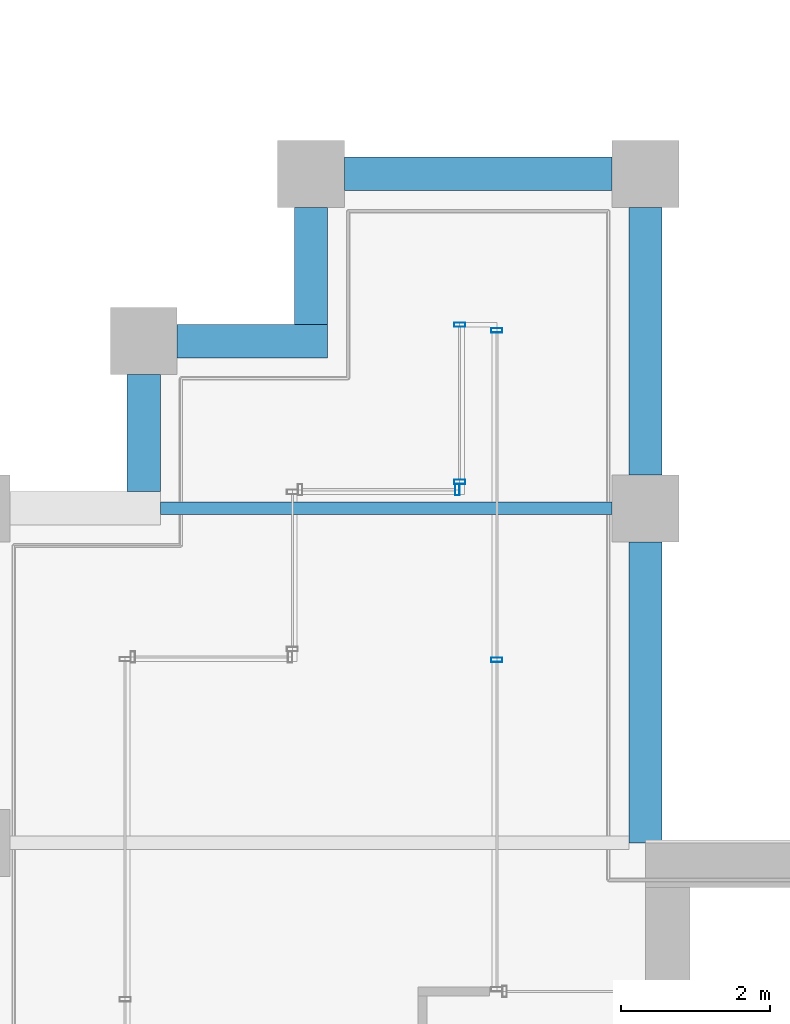
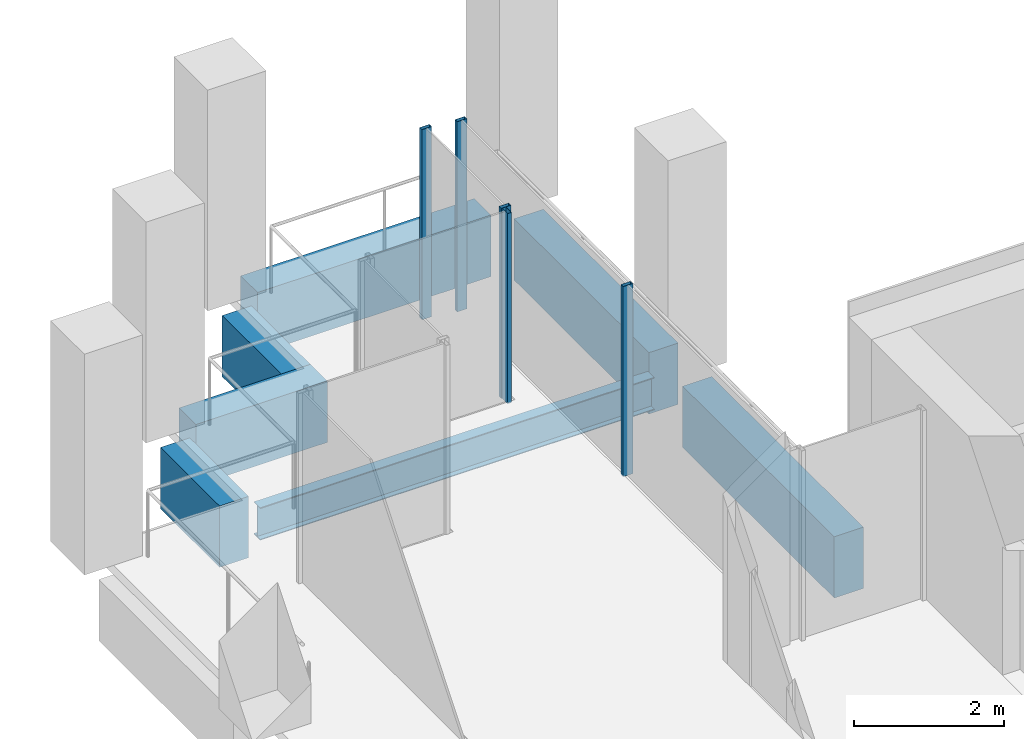
# One storey, part 33 of 40: 7 beams, 5 members, 3 elements without a shape of their own.
"""IFC4 building model written with IfcOpenShell, lengths in metres."""

from ifc_helpers import new_model, si_unit, direction, frame, origin, origin_2d, place, context, subcontext, project, spatial, rectangle, hollow_rectangle, i_section, extrude, material, material_profile, profile_set, type_object, element, aggregate, save


model = new_model("IFC4")

# Units and contexts
model_context = context("Model", 3, precision=1e-05, world=origin(), true_north=direction((0.0, 1.0)))
body_context = subcontext(model_context, "Body", "Model", "MODEL_VIEW")
ifc_project = project(units=[si_unit("LENGTHUNIT", "METRE"), si_unit("AREAUNIT", "SQUARE_METRE"), si_unit("VOLUMEUNIT", "CUBIC_METRE"), si_unit("PLANEANGLEUNIT", "RADIAN"), si_unit("MASSUNIT", "GRAM", prefix="KILO")], contexts=[model_context])

# Site, building, storey
site_placement = place(None, origin())
site = spatial("IfcSite", under=ifc_project, at=site_placement, CompositionType="ELEMENT")
building_placement = place(site_placement, origin())
building = spatial("IfcBuilding", under=site, at=building_placement, Name="Altepetl Exchange Towers", CompositionType="ELEMENT")
storey_placement = place(building_placement, frame((0.0, 0.0, 172.60009765625)))
storey = spatial("IfcBuildingStorey", under=building, at=storey_placement, Name="L43", CompositionType="ELEMENT", Elevation=172.60009765625)

# Beam
ifc_material_1 = material(Name="Steel S355", Category="steel")
ifc_material_profile_1 = material_profile(ifc_material_1, i_section(OverallWidth=0.166015625, OverallDepth=0.529052734375, WebThickness=0.009765625, FlangeThickness=0.013671875, at=origin_2d()), Name="W21X50")
ifc_profile_set_1 = profile_set([ifc_material_profile_1], Name="Steel S355")
beam_type_1 = type_object("IfcBeamType", Name="Floor beam W21X50", PredefinedType="BEAM", material=ifc_profile_set_1)
beam_1_placement = place(storey_placement, frame((96.97509765625, 54.0, -0.41455078125), z_axis=(1.0, 0.0, 0.0), x_axis=(0.0, 1.0, 0.0)))
element("IfcBeam", 1, at=beam_1_placement, inside=storey, type_object=beam_type_1, Name="bm:B:L43:007", PredefinedType="BEAM", context=body_context, shape_type="SweptSolid", body=[
    extrude(i_section(OverallWidth=0.166015625, OverallDepth=0.529052734375, WebThickness=0.009765625, FlangeThickness=0.013671875, at=origin_2d()), origin(), (0.0, 0.0, 1.0), 6.074951171875),
])

# Curtain wall, members
ifc_material_2 = material(Name="Aluminium 6063-T6 glazing", Category="aluminium")
curtain_wall_type = type_object("IfcCurtainWallType", Name="Loggia glazing system", PredefinedType="NOTDEFINED", material=ifc_material_2)
curtain_wall_1_placement = place(storey_placement, origin())
curtain_wall_1 = element("IfcCurtainWall", 2, at=curtain_wall_1_placement, inside=storey, type_object=curtain_wall_type, Name="CW1 run", PredefinedType="NOTDEFINED")
ifc_material_3 = material(Name="Aluminium 6063-T6", Category="aluminium")
ifc_material_profile_2 = material_profile(ifc_material_3, hollow_rectangle(XDim=0.06005859375, YDim=0.14990234375, WallThickness=0.0029296875, at=origin_2d()), Name="Mullion 60x150 aluminium")
ifc_profile_set_2 = profile_set([ifc_material_profile_2], Name="Aluminium 6063-T6")
member_type = type_object("IfcMemberType", Name="Mullion 60x150 aluminium", PredefinedType="MULLION", material=ifc_profile_set_2)
member_1_placement = place(storey_placement, frame((101.5, 51.96240234375, 0.0), z_axis=(0.0, 0.0, 1.0), x_axis=(0.0, 1.0, 0.0)))
member_1 = element("IfcMember", 3, at=member_1_placement, type_object=member_type, Name="MU1 mullion", PredefinedType="MULLION", context=body_context, shape_type="SweptSolid", body=[
    extrude(hollow_rectangle(XDim=0.06005859375, YDim=0.14990234375, WallThickness=0.0029296875, at=origin_2d()), origin(), (0.0, 0.0, 1.0), 3.099853515625),
])
member_2_placement = place(storey_placement, frame((101.5, 56.39501953125, 0.0), z_axis=(0.0, 0.0, 1.0), x_axis=(0.0, 1.0, 0.0)))
member_2 = element("IfcMember", 4, at=member_2_placement, type_object=member_type, Name="MU1 mullion", PredefinedType="MULLION", context=body_context, shape_type="SweptSolid", body=[
    extrude(hollow_rectangle(XDim=0.06005859375, YDim=0.14990234375, WallThickness=0.0029296875, at=origin_2d()), origin(), (0.0, 0.0, 1.0), 3.099853515625),
])
aggregate(curtain_wall_1, [member_1, member_2])

curtain_wall_2_placement = place(storey_placement, origin())
curtain_wall_2 = element("IfcCurtainWall", 5, at=curtain_wall_2_placement, inside=storey, type_object=curtain_wall_type, Name="CW1 run", PredefinedType="NOTDEFINED")
member_3_placement = place(storey_placement, frame((101.0, 56.469970703125, 0.0), z_axis=(0.0, 0.0, 1.0), x_axis=(0.0, -1.0, 0.0)))
member_3 = element("IfcMember", 6, at=member_3_placement, type_object=member_type, Name="MU1 mullion", PredefinedType="MULLION", context=body_context, shape_type="SweptSolid", body=[
    extrude(hollow_rectangle(XDim=0.06005859375, YDim=0.14990234375, WallThickness=0.0029296875, at=origin_2d()), origin(), (0.0, 0.0, 1.0), 3.099853515625),
])
member_4_placement = place(storey_placement, frame((101.0, 54.35498046875, 0.0), z_axis=(0.0, 0.0, 1.0), x_axis=(0.0, -1.0, 0.0)))
member_4 = element("IfcMember", 7, at=member_4_placement, type_object=member_type, Name="MU1 mullion", PredefinedType="MULLION", context=body_context, shape_type="SweptSolid", body=[
    extrude(hollow_rectangle(XDim=0.06005859375, YDim=0.14990234375, WallThickness=0.0029296875, at=origin_2d()), origin(), (0.0, 0.0, 1.0), 3.099853515625),
])
aggregate(curtain_wall_2, [member_3, member_4])

# Curtain wall, member
curtain_wall_3_placement = place(storey_placement, origin())
curtain_wall_3 = element("IfcCurtainWall", 8, at=curtain_wall_3_placement, inside=storey, type_object=curtain_wall_type, Name="CW1 run", PredefinedType="NOTDEFINED")
member_5_placement = place(storey_placement, frame((100.969970703125, 54.25, 0.0), z_axis=(0.0, 0.0, 1.0), x_axis=(-1.0, 0.0, 0.0)))
member_5 = element("IfcMember", 9, at=member_5_placement, type_object=member_type, Name="MU1 mullion", PredefinedType="MULLION", context=body_context, shape_type="SweptSolid", body=[
    extrude(hollow_rectangle(XDim=0.06005859375, YDim=0.14990234375, WallThickness=0.0029296875, at=origin_2d()), origin(), (0.0, 0.0, 1.0), 3.099853515625),
])
aggregate(curtain_wall_3, [member_5])

# Beams
ifc_material_4 = material(Name="Concrete C50/60 precast with cantera rosa facing", Category="concrete")
ifc_material_profile_3 = material_profile(ifc_material_4, rectangle(XDim=0.449951171875, YDim=1.0, at=origin_2d()), Name="450 x 1000")
ifc_profile_set_3 = profile_set([ifc_material_profile_3], Name="Concrete C50/60 precast with cantera rosa facing")
beam_type_2 = type_object("IfcBeamType", Name="Spandrel beam 450x1000 cantera rosa", PredefinedType="SPANDREL", material=ifc_profile_set_3)
beam_2_placement = place(storey_placement, frame((103.5, 49.5, -0.650146484375), z_axis=(0.0, 1.0, 0.0), x_axis=(-1.0, 0.0, 0.0)))
element("IfcBeam", 10, at=beam_2_placement, inside=storey, type_object=beam_type_2, Name="sp:B:L43:008", PredefinedType="SPANDREL", context=body_context, shape_type="SweptSolid", body=[
    extrude(rectangle(XDim=0.449951171875, YDim=1.0, at=origin_2d()), origin(), (0.0, 0.0, 1.0), 4.050048828125),
])
for number, where, z_axis, x_axis, name in (
    (11, (103.5, 54.449951171875, -0.650146484375), (0.0, 1.0, 0.0), (-1.0, 0.0, 0.0), "sp:B:L43:009"),
    (12, (103.050048828125, 58.5, -0.650146484375), (-1.0, 0.0, 0.0), (0.0, -1.0, 0.0), "sp:B:L43:010"),
):
    element("IfcBeam", number, at=place(storey_placement, frame(where, z_axis=z_axis, x_axis=x_axis)), inside=storey, type_object=beam_type_2, Name=name, PredefinedType="SPANDREL", context=body_context, shape_type="SweptSolid", body=[
        extrude(rectangle(XDim=0.449951171875, YDim=1.0, at=origin_2d()), origin(), (0.0, 0.0, 1.0), 3.60009765625),
    ])
beam_3_placement = place(storey_placement, frame((99.0, 58.050048828125, -0.650146484375), z_axis=(0.0, -1.0, 0.0), x_axis=(1.0, 0.0, 0.0)))
element("IfcBeam", 13, at=beam_3_placement, inside=storey, type_object=beam_type_2, Name="sp:B:L43:011", PredefinedType="SPANDREL", context=body_context, shape_type="SweptSolid", body=[
    extrude(rectangle(XDim=0.449951171875, YDim=1.0, at=origin_2d()), origin(), (0.0, 0.0, 1.0), 1.574951171875),
])
beam_4_placement = place(storey_placement, frame((99.22509765625, 56.25, -0.650146484375), z_axis=(-1.0, 0.0, 0.0), x_axis=(0.0, -1.0, 0.0)))
element("IfcBeam", 14, at=beam_4_placement, inside=storey, type_object=beam_type_2, Name="sp:B:L43:012", PredefinedType="SPANDREL", context=body_context, shape_type="SweptSolid", body=[
    extrude(rectangle(XDim=0.449951171875, YDim=1.0, at=origin_2d()), origin(), (0.0, 0.0, 1.0), 2.025146484375),
])
beam_5_placement = place(storey_placement, frame((96.75, 55.800048828125, -0.650146484375), z_axis=(0.0, -1.0, 0.0), x_axis=(1.0, 0.0, 0.0)))
element("IfcBeam", 15, at=beam_5_placement, inside=storey, type_object=beam_type_2, Name="sp:B:L43:013", PredefinedType="SPANDREL", context=body_context, shape_type="SweptSolid", body=[
    extrude(rectangle(XDim=0.449951171875, YDim=1.0, at=origin_2d()), origin(), (0.0, 0.0, 1.0), 1.574951171875),
])

save(model, "model.ifc")
